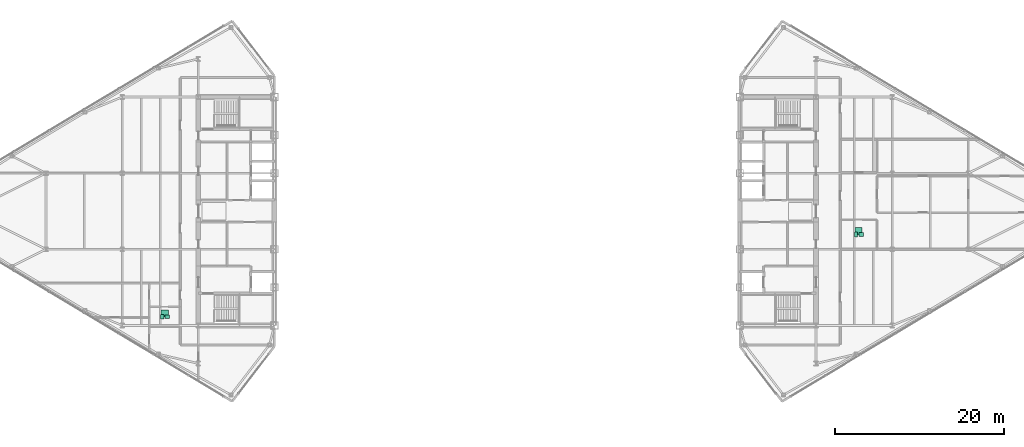
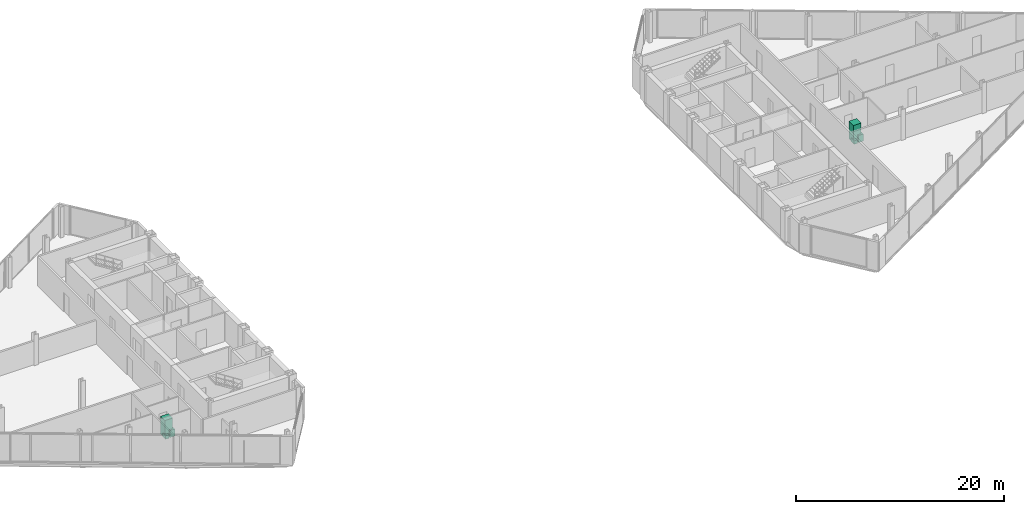
# One storey, part 25 of 25: 6 sanitary terminals.
"""IFC4 building model written with IfcOpenShell, lengths in metres."""

from ifc_helpers import new_model, si_unit, direction, frame, origin, origin_2d, place, context, subcontext, project, spatial, rectangle, extrude, source, transform, mapped, material, type_object, type_shapes, element, save


model = new_model("IFC4")

# Units and contexts
model_context = context("Model", 3, precision=1e-05, world=origin(), true_north=direction((0.0, 1.0)))
body_context = subcontext(model_context, "Body", "Model", "MODEL_VIEW")
ifc_project = project(units=[si_unit("LENGTHUNIT", "METRE"), si_unit("AREAUNIT", "SQUARE_METRE"), si_unit("VOLUMEUNIT", "CUBIC_METRE"), si_unit("PLANEANGLEUNIT", "RADIAN"), si_unit("MASSUNIT", "GRAM", prefix="KILO")], contexts=[model_context])

# Site, building, storey
site_placement = place(None, origin())
site = spatial("IfcSite", under=ifc_project, at=site_placement, CompositionType="ELEMENT")
building_placement = place(site_placement, origin())
building = spatial("IfcBuilding", under=site, at=building_placement, Name="Seokmaru Belvedere", CompositionType="ELEMENT")
storey_placement = place(building_placement, frame((0.0, 0.0, 203.10009765625)))
storey = spatial("IfcBuildingStorey", under=building, at=storey_placement, Name="L54", CompositionType="ELEMENT", Elevation=203.10009765625)

# Sanitary terminals
ifc_material_1 = material(Name="Vitreous China Sanitaryware")
sanitary_terminal_type_1 = type_object("IfcSanitaryTerminalType", Name="Wall-Hung Vitreous China WC Pan", PredefinedType="TOILETPAN", material=ifc_material_1)
shared_shape_1 = source(origin(), body_context, "Body", "SweptSolid", [
    extrude(rectangle(XDim=0.3798828125, YDim=0.56005859375, at=origin_2d()), origin(), (0.0, 0.0, 1.0), 0.419921875),
])
type_shapes(sanitary_terminal_type_1, [shared_shape_1])
for number, where, z_axis, x_axis, name in (
    (1, (-40.77490234375, -12.469970703125, 0.0), (0.0, 0.0, 1.0), (1.0, 0.0, 0.0), "L54 Vitreous China WC 0259"),
    (2, (41.22509765625, -2.74609375, 0.0), (0.0, 0.0, 1.0), (1.0, 0.0, 0.0), "L54 Vitreous China WC 0260"),
):
    element("IfcSanitaryTerminal", number, at=place(storey_placement, frame(where, z_axis=z_axis, x_axis=x_axis)), inside=storey, type_object=sanitary_terminal_type_1, Name=name, PredefinedType="TOILETPAN", context=body_context, shape_type="MappedRepresentation", body=[
        mapped(shared_shape_1, transform((0.0, 0.0, 0.0), scale=1.0)),
    ])
sanitary_terminal_type_2 = type_object("IfcSanitaryTerminalType", Name="Countertop Ceramic Washhand Basin", PredefinedType="WASHHANDBASIN", material=ifc_material_1)
shared_shape_2 = source(origin(), body_context, "Body", "SweptSolid", [
    extrude(rectangle(XDim=0.550048828125, YDim=0.449951171875, at=origin_2d()), origin(), (0.0, 0.0, 1.0), 0.820068359375),
])
type_shapes(sanitary_terminal_type_2, [shared_shape_2])
for number, where, z_axis, x_axis, name in (
    (3, (-40.175048828125, -12.469970703125, 0.0), (0.0, 0.0, 1.0), (1.0, 0.0, 0.0), "L54 Ceramic Washhand Basin 0259"),
    (4, (41.824951171875, -2.74609375, 0.0), (0.0, 0.0, 1.0), (1.0, 0.0, 0.0), "L54 Ceramic Washhand Basin 0260"),
):
    element("IfcSanitaryTerminal", number, at=place(storey_placement, frame(where, z_axis=z_axis, x_axis=x_axis)), inside=storey, type_object=sanitary_terminal_type_2, Name=name, PredefinedType="WASHHANDBASIN", context=body_context, shape_type="MappedRepresentation", body=[
        mapped(shared_shape_2, transform((0.0, 0.0, 0.0), scale=1.0)),
    ])
ifc_material_2 = material(Name="Stainless Steel 316", Category="steel")
sanitary_terminal_type_3 = type_object("IfcSanitaryTerminalType", Name="Walk-In Thermostatic Rain Shower Enclosure", PredefinedType="SHOWER", material=ifc_material_2)
shared_shape_3 = source(origin(), body_context, "Body", "SweptSolid", [
    extrude(rectangle(XDim=0.85009765625, YDim=0.85009765625, at=origin_2d()), origin(), (0.0, 0.0, 1.0), 2.050048828125),
])
type_shapes(sanitary_terminal_type_3, [shared_shape_3])
for number, where, z_axis, x_axis, name in (
    (5, (-40.47509765625, -12.090087890625, 0.0), (0.0, 0.0, 1.0), (1.0, 0.0, 0.0), "L54 Walk-In Shower 0259"),
    (6, (41.52490234375, -2.365966796875, 0.0), (0.0, 0.0, 1.0), (1.0, 0.0, 0.0), "L54 Walk-In Shower 0260"),
):
    element("IfcSanitaryTerminal", number, at=place(storey_placement, frame(where, z_axis=z_axis, x_axis=x_axis)), inside=storey, type_object=sanitary_terminal_type_3, Name=name, PredefinedType="SHOWER", context=body_context, shape_type="MappedRepresentation", body=[
        mapped(shared_shape_3, transform((0.0, 0.0, 0.0), scale=1.0)),
    ])

save(model, "model.ifc")
